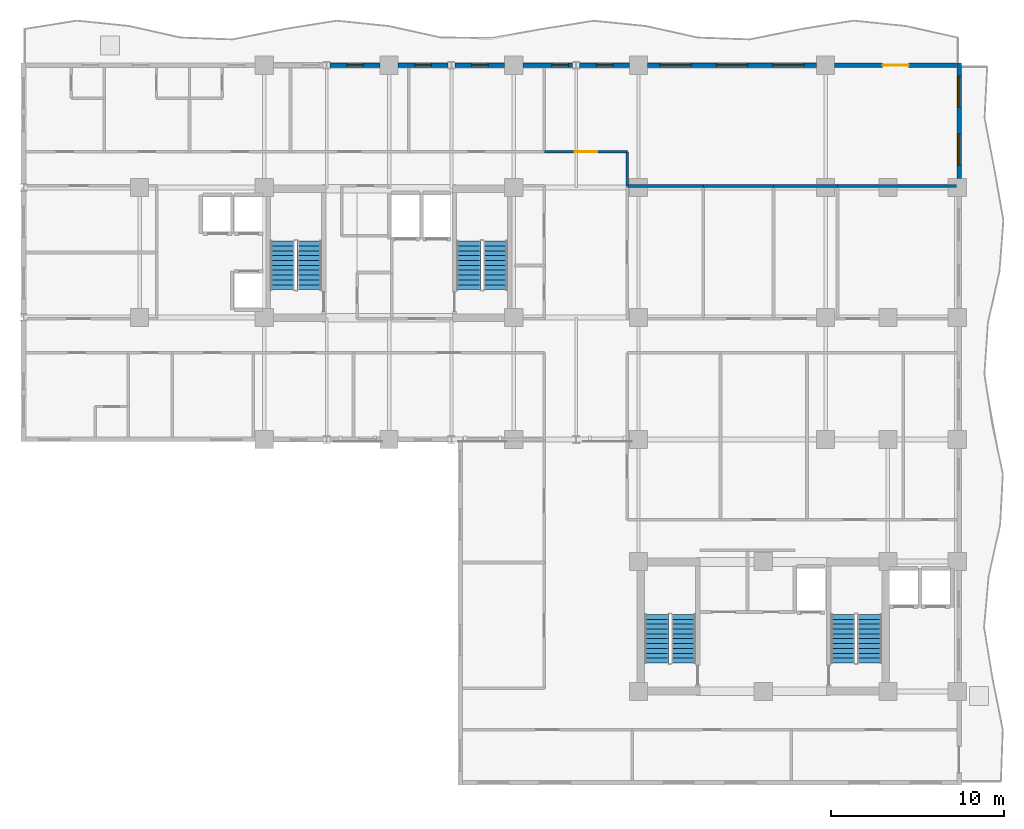
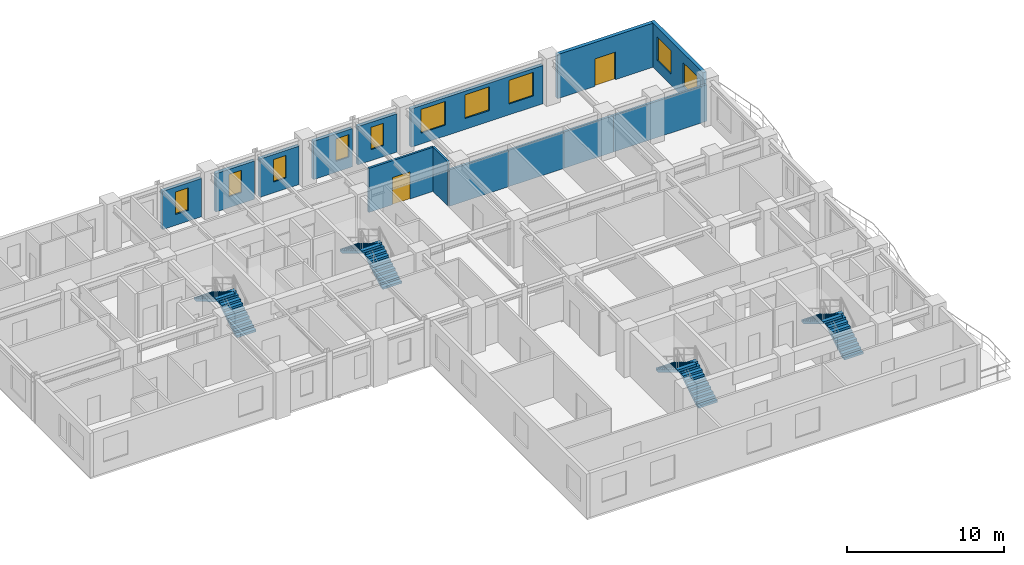
# One storey, part 9 of 13: 14 walls, 10 windows, 8 stair flights, 2 doors, 12 openings, 4 elements without a shape of their own.
"""IFC4 building model written with IfcOpenShell, lengths in metres."""

from ifc_helpers import new_model, si_unit, direction, frame, frame_2d, origin, place, context, subcontext, project, spatial, polyline, rectangle, outline, extrude, material, layer, layer_set, type_object, element, fill, aggregate, save


model = new_model("IFC4")

# Units and contexts
model_context = context("Model", 3, precision=1e-05, world=origin(), true_north=direction((0.0, 1.0)))
body_context = subcontext(model_context, "Body", "Model", "MODEL_VIEW")
ifc_project = project(units=[si_unit("LENGTHUNIT", "METRE"), si_unit("AREAUNIT", "SQUARE_METRE"), si_unit("VOLUMEUNIT", "CUBIC_METRE"), si_unit("PLANEANGLEUNIT", "RADIAN"), si_unit("MASSUNIT", "GRAM", prefix="KILO")], contexts=[model_context])

# Site, building, storey
site_placement = place(None, origin())
site = spatial("IfcSite", under=ifc_project, at=site_placement, CompositionType="ELEMENT")
building_placement = place(site_placement, origin())
building = spatial("IfcBuilding", under=site, at=building_placement, Name="Kaliganga Portal Commons", CompositionType="ELEMENT")
storey_placement = place(building_placement, frame((0.0, 0.0, 158.699951171875)))
storey = spatial("IfcBuildingStorey", under=building, at=storey_placement, Name="L40", CompositionType="ELEMENT", Elevation=158.699951171875)

# Wall, openings, windows
ifc_material_1 = material(Name="Insulated Aluminium-Clad Spandrel Assembly", Category="aluminium")
ifc_layer_1 = layer(ifc_material_1, 0.260009765625)
ifc_layer_set_1 = layer_set([ifc_layer_1], Name="Insulated Aluminium-Clad Spandrel Assembly")
wall_type_1 = type_object("IfcWallType", Name="WL-EXT-SPAND-260", PredefinedType="STANDARD", material=ifc_layer_set_1)
wall_1_placement = place(storey_placement, frame((54.5, 43.330078125, 0.0), z_axis=(0.0, 0.0, 1.0), x_axis=(0.0, -1.0, 0.0)))
wall_1 = element("IfcWall", 1, at=wall_1_placement, inside=storey, type_object=wall_type_1, Name="Exterior Envelope Wall L40 P1-E01-S6", PredefinedType="STANDARD", context=body_context, shape_type="SweptSolid", body=[
    extrude(rectangle(XDim=6.654052734375, YDim=0.260009765625, at=frame_2d((3.3271484375, 0.0))), origin(), (0.0, 0.0, 1.0), 3.43994140625),
])
opening_1_placement = place(wall_1_placement, frame((0.763427734375, 0.0, 0.85009765625)))
opening_1 = element("IfcOpeningElement", 2, at=opening_1_placement, cuts=wall_1, Name="Opening W-01", PredefinedType="OPENING", context=body_context, shape_type="SweptSolid", body=[
    extrude(rectangle(XDim=1.800048828125, YDim=1.85009765625, at=frame_2d((0.89990234375, 0.925048828125))), frame((0.0, 0.14013671875, 0.0), z_axis=(0.0, -1.0, 0.0), x_axis=(1.0, 0.0, 0.0)), (0.0, 0.0, 1.0), 0.280029296875),
])
opening_2_placement = place(wall_1_placement, frame((4.090576171875, 0.0, 0.85009765625)))
opening_2 = element("IfcOpeningElement", 3, at=opening_2_placement, cuts=wall_1, Name="Opening W-01", PredefinedType="OPENING", context=body_context, shape_type="SweptSolid", body=[
    extrude(rectangle(XDim=1.800048828125, YDim=1.85009765625, at=frame_2d((0.89990234375, 0.925048828125))), frame((0.0, 0.14013671875, 0.0), z_axis=(0.0, -1.0, 0.0), x_axis=(1.0, 0.0, 0.0)), (0.0, 0.0, 1.0), 0.280029296875),
])
ifc_material_2 = material(Name="Thermally Broken Aluminium and Low-E Double Glazing", Category="aluminium")
window_type_1 = type_object("IfcWindowType", Name="WIN-STD-1800", PartitioningType="DOUBLE_PANEL_VERTICAL", PredefinedType="WINDOW", material=ifc_material_2)
window_1_placement = place(opening_1_placement, origin())
window_1 = element("IfcWindow", 4, at=window_1_placement, inside=storey, type_object=window_type_1, Name="Facade Window L40-P1E01S6-00", OverallHeight=1.85009765625, OverallWidth=1.800048828125, PartitioningType="SINGLE_PANEL", PredefinedType="WINDOW", context=body_context, shape_type="SweptSolid", body=[
    extrude(rectangle(XDim=1.800048828125, YDim=1.85009765625, at=frame_2d((0.89990234375, 0.925048828125))), frame((0.0, 0.030029296875, 0.0), z_axis=(0.0, -1.0, 0.0), x_axis=(1.0, 0.0, 0.0)), (0.0, 0.0, 1.0), 0.06005859375),
])
fill(opening_1, window_1)
window_2_placement = place(opening_2_placement, origin())
window_2 = element("IfcWindow", 5, at=window_2_placement, inside=storey, type_object=window_type_1, Name="Facade Window L40-P1E01S6-01", OverallHeight=1.85009765625, OverallWidth=1.800048828125, PartitioningType="SINGLE_PANEL", PredefinedType="WINDOW", context=body_context, shape_type="SweptSolid", body=[
    extrude(rectangle(XDim=1.800048828125, YDim=1.85009765625, at=frame_2d((0.89990234375, 0.925048828125))), frame((0.0, 0.030029296875, 0.0), z_axis=(0.0, -1.0, 0.0), x_axis=(1.0, 0.0, 0.0)), (0.0, 0.0, 1.0), 0.06005859375),
])
fill(opening_2, window_2)

# Wall, opening, door
wall_2_placement = place(storey_placement, frame((47.325927734375, 43.199951171875, 0.0), z_axis=(0.0, 0.0, 1.0), x_axis=(1.0, 0.0, 0.0)))
wall_2 = element("IfcWall", 6, at=wall_2_placement, inside=storey, type_object=wall_type_1, Name="Exterior Envelope Wall L40 P1-E02-S1", PredefinedType="STANDARD", context=body_context, shape_type="SweptSolid", body=[
    extrude(rectangle(XDim=7.0390625, YDim=0.260009765625, at=frame_2d((3.51953125, 0.0))), origin(), (0.0, 0.0, 1.0), 3.43994140625),
])
opening_3_placement = place(wall_2_placement, frame((2.77001953125, 0.0, 0.0)))
opening_3 = element("IfcOpeningElement", 7, at=opening_3_placement, cuts=wall_2, Name="Opening BD-01", PredefinedType="OPENING", context=body_context, shape_type="SweptSolid", body=[
    extrude(rectangle(XDim=1.5, YDim=2.14990234375, at=frame_2d((0.75, 1.074951171875))), frame((0.0, 0.14013671875, 0.0), z_axis=(0.0, -1.0, 0.0), x_axis=(1.0, 0.0, 0.0)), (0.0, 0.0, 1.0), 0.280029296875),
])
ifc_material_3 = material(Name="Anodized Aluminium and Laminated Safety Glass", Category="aluminium")
door_type_1 = type_object("IfcDoorType", Name="DR-BALC-1500", OperationType="SLIDING_TO_LEFT", PredefinedType="DOOR", material=ifc_material_3)
door_1_placement = place(opening_3_placement, origin())
door_1 = element("IfcDoor", 8, at=door_1_placement, inside=storey, type_object=door_type_1, Name="Balcony Sliding Door L40 balc_north", OperationType="SLIDING_TO_LEFT", OverallHeight=2.14990234375, OverallWidth=1.5, PredefinedType="DOOR", context=body_context, shape_type="SweptSolid", body=[
    extrude(rectangle(XDim=1.5, YDim=2.14990234375, at=frame_2d((0.75, 1.074951171875))), frame((0.0, 0.02490234375, 0.0), z_axis=(0.0, -1.0, 0.0), x_axis=(1.0, 0.0, 0.0)), (0.0, 0.0, 1.0), 0.050048828125),
])
fill(opening_3, door_1)

# Wall, openings, windows
wall_3_placement = place(storey_placement, frame((36.52587890625, 43.199951171875, 0.0), z_axis=(0.0, 0.0, 1.0), x_axis=(1.0, 0.0, 0.0)))
wall_3 = element("IfcWall", 9, at=wall_3_placement, inside=storey, type_object=wall_type_1, Name="Exterior Envelope Wall L40 P1-E02-S2", PredefinedType="STANDARD", context=body_context, shape_type="SweptSolid", body=[
    extrude(rectangle(XDim=9.748046875, YDim=0.260009765625, at=frame_2d((4.8740234375, 0.0))), origin(), (0.0, 0.0, 1.0), 2.989990234375),
])
opening_4_placement = place(wall_3_placement, frame((0.724609375, 0.0, 0.85009765625)))
opening_4 = element("IfcOpeningElement", 10, at=opening_4_placement, cuts=wall_3, Name="Opening W-01", PredefinedType="OPENING", context=body_context, shape_type="SweptSolid", body=[
    extrude(rectangle(XDim=1.800048828125, YDim=1.85009765625, at=frame_2d((0.89990234375, 0.925048828125))), frame((0.0, 0.14013671875, 0.0), z_axis=(0.0, -1.0, 0.0), x_axis=(1.0, 0.0, 0.0)), (0.0, 0.0, 1.0), 0.280029296875),
])
opening_5_placement = place(wall_3_placement, frame((3.97412109375, 0.0, 0.85009765625)))
opening_5 = element("IfcOpeningElement", 11, at=opening_5_placement, cuts=wall_3, Name="Opening W-01", PredefinedType="OPENING", context=body_context, shape_type="SweptSolid", body=[
    extrude(rectangle(XDim=1.800048828125, YDim=1.85009765625, at=frame_2d((0.89990234375, 0.925048828125))), frame((0.0, 0.14013671875, 0.0), z_axis=(0.0, -1.0, 0.0), x_axis=(1.0, 0.0, 0.0)), (0.0, 0.0, 1.0), 0.280029296875),
])
opening_6_placement = place(wall_3_placement, frame((7.223388671875, 0.0, 0.85009765625)))
opening_6 = element("IfcOpeningElement", 12, at=opening_6_placement, cuts=wall_3, Name="Opening W-01", PredefinedType="OPENING", context=body_context, shape_type="SweptSolid", body=[
    extrude(rectangle(XDim=1.800048828125, YDim=1.85009765625, at=frame_2d((0.89990234375, 0.925048828125))), frame((0.0, 0.14013671875, 0.0), z_axis=(0.0, -1.0, 0.0), x_axis=(1.0, 0.0, 0.0)), (0.0, 0.0, 1.0), 0.280029296875),
])
window_3_placement = place(opening_4_placement, origin())
window_3 = element("IfcWindow", 13, at=window_3_placement, inside=storey, type_object=window_type_1, Name="Facade Window L40-P1E02S2-00", OverallHeight=1.85009765625, OverallWidth=1.800048828125, PartitioningType="SINGLE_PANEL", PredefinedType="WINDOW", context=body_context, shape_type="SweptSolid", body=[
    extrude(rectangle(XDim=1.800048828125, YDim=1.85009765625, at=frame_2d((0.89990234375, 0.925048828125))), frame((0.0, 0.030029296875, 0.0), z_axis=(0.0, -1.0, 0.0), x_axis=(1.0, 0.0, 0.0)), (0.0, 0.0, 1.0), 0.06005859375),
])
fill(opening_4, window_3)
window_4_placement = place(opening_5_placement, origin())
window_4 = element("IfcWindow", 14, at=window_4_placement, inside=storey, type_object=window_type_1, Name="Facade Window L40-P1E02S2-01", OverallHeight=1.85009765625, OverallWidth=1.800048828125, PartitioningType="SINGLE_PANEL", PredefinedType="WINDOW", context=body_context, shape_type="SweptSolid", body=[
    extrude(rectangle(XDim=1.800048828125, YDim=1.85009765625, at=frame_2d((0.89990234375, 0.925048828125))), frame((0.0, 0.030029296875, 0.0), z_axis=(0.0, -1.0, 0.0), x_axis=(1.0, 0.0, 0.0)), (0.0, 0.0, 1.0), 0.06005859375),
])
fill(opening_5, window_4)
window_5_placement = place(opening_6_placement, origin())
window_5 = element("IfcWindow", 15, at=window_5_placement, inside=storey, type_object=window_type_1, Name="Facade Window L40-P1E02S2-02", OverallHeight=1.85009765625, OverallWidth=1.800048828125, PartitioningType="SINGLE_PANEL", PredefinedType="WINDOW", context=body_context, shape_type="SweptSolid", body=[
    extrude(rectangle(XDim=1.800048828125, YDim=1.85009765625, at=frame_2d((0.89990234375, 0.925048828125))), frame((0.0, 0.030029296875, 0.0), z_axis=(0.0, -1.0, 0.0), x_axis=(1.0, 0.0, 0.0)), (0.0, 0.0, 1.0), 0.06005859375),
])
fill(opening_6, window_5)

# Wall, opening, window
wall_4_placement = place(storey_placement, frame((32.60302734375, 43.199951171875, 0.0), z_axis=(0.0, 0.0, 1.0), x_axis=(1.0, 0.0, 0.0)))
wall_4 = element("IfcWall", 16, at=wall_4_placement, inside=storey, type_object=wall_type_1, Name="Exterior Envelope Wall L40 P1-E02-S3", PredefinedType="STANDARD", context=body_context, shape_type="SweptSolid", body=[
    extrude(rectangle(XDim=2.87109375, YDim=0.260009765625, at=frame_2d((1.435546875, 0.0))), origin(), (0.0, 0.0, 1.0), 2.989990234375),
])
opening_7_placement = place(wall_4_placement, frame((0.96044921875, 0.0, 0.85009765625)))
opening_7 = element("IfcOpeningElement", 17, at=opening_7_placement, cuts=wall_4, Name="Opening W-04", PredefinedType="OPENING", context=body_context, shape_type="SweptSolid", body=[
    extrude(rectangle(XDim=0.949951171875, YDim=1.75, at=frame_2d((0.47509765625, 0.875))), frame((0.0, 0.14013671875, 0.0), z_axis=(0.0, -1.0, 0.0), x_axis=(1.0, 0.0, 0.0)), (0.0, 0.0, 1.0), 0.280029296875),
])
window_type_2 = type_object("IfcWindowType", Name="WIN-NARROW-950", PartitioningType="SINGLE_PANEL", PredefinedType="WINDOW", material=ifc_material_2)
window_6_placement = place(opening_7_placement, origin())
window_6 = element("IfcWindow", 18, at=window_6_placement, inside=storey, type_object=window_type_2, Name="Facade Window L40-P1E02S3-00", OverallHeight=1.75, OverallWidth=0.949951171875, PartitioningType="SINGLE_PANEL", PredefinedType="WINDOW", context=body_context, shape_type="SweptSolid", body=[
    extrude(rectangle(XDim=0.949951171875, YDim=1.75, at=frame_2d((0.47509765625, 0.875))), frame((0.0, 0.030029296875, 0.0), z_axis=(0.0, -1.0, 0.0), x_axis=(1.0, 0.0, 0.0)), (0.0, 0.0, 1.0), 0.06005859375),
])
fill(opening_7, window_6)

wall_5_placement = place(storey_placement, frame((29.325927734375, 43.199951171875, 0.0), z_axis=(0.0, 0.0, 1.0), x_axis=(1.0, 0.0, 0.0)))
wall_5 = element("IfcWall", 19, at=wall_5_placement, inside=storey, type_object=wall_type_1, Name="Exterior Envelope Wall L40 P1-E02-S4", PredefinedType="STANDARD", context=body_context, shape_type="SweptSolid", body=[
    extrude(rectangle(XDim=2.87109375, YDim=0.260009765625, at=frame_2d((1.435546875, 0.0))), origin(), (0.0, 0.0, 1.0), 2.989990234375),
])
opening_8_placement = place(wall_5_placement, frame((1.672607421875, 0.0, 0.85009765625)))
opening_8 = element("IfcOpeningElement", 20, at=opening_8_placement, cuts=wall_5, Name="Opening W-04", PredefinedType="OPENING", context=body_context, shape_type="SweptSolid", body=[
    extrude(rectangle(XDim=0.949951171875, YDim=1.75, at=frame_2d((0.47509765625, 0.875))), frame((0.0, 0.14013671875, 0.0), z_axis=(0.0, -1.0, 0.0), x_axis=(1.0, 0.0, 0.0)), (0.0, 0.0, 1.0), 0.280029296875),
])
window_7_placement = place(opening_8_placement, origin())
window_7 = element("IfcWindow", 21, at=window_7_placement, inside=storey, type_object=window_type_2, Name="Facade Window L40-P1E02S4-N2", OverallHeight=1.75, OverallWidth=0.949951171875, PartitioningType="SINGLE_PANEL", PredefinedType="WINDOW", context=body_context, shape_type="SweptSolid", body=[
    extrude(rectangle(XDim=0.949951171875, YDim=1.75, at=frame_2d((0.47509765625, 0.875))), frame((0.0, 0.030029296875, 0.0), z_axis=(0.0, -1.0, 0.0), x_axis=(1.0, 0.0, 0.0)), (0.0, 0.0, 1.0), 0.06005859375),
])
fill(opening_8, window_7)

wall_6_placement = place(storey_placement, frame((25.403076171875, 43.199951171875, 0.0), z_axis=(0.0, 0.0, 1.0), x_axis=(1.0, 0.0, 0.0)))
wall_6 = element("IfcWall", 22, at=wall_6_placement, inside=storey, type_object=wall_type_1, Name="Exterior Envelope Wall L40 P1-E02-S5", PredefinedType="STANDARD", context=body_context, shape_type="SweptSolid", body=[
    extrude(rectangle(XDim=2.870849609375, YDim=0.260009765625, at=frame_2d((1.435546875, 0.0))), origin(), (0.0, 0.0, 1.0), 2.989990234375),
])
opening_9_placement = place(wall_6_placement, frame((0.96044921875, 0.0, 0.85009765625)))
opening_9 = element("IfcOpeningElement", 23, at=opening_9_placement, cuts=wall_6, Name="Opening W-04", PredefinedType="OPENING", context=body_context, shape_type="SweptSolid", body=[
    extrude(rectangle(XDim=0.949951171875, YDim=1.75, at=frame_2d((0.47509765625, 0.875))), frame((0.0, 0.14013671875, 0.0), z_axis=(0.0, -1.0, 0.0), x_axis=(1.0, 0.0, 0.0)), (0.0, 0.0, 1.0), 0.280029296875),
])
window_8_placement = place(opening_9_placement, origin())
window_8 = element("IfcWindow", 24, at=window_8_placement, inside=storey, type_object=window_type_2, Name="Facade Window L40-P1E02S5-00", OverallHeight=1.75, OverallWidth=0.949951171875, PartitioningType="SINGLE_PANEL", PredefinedType="WINDOW", context=body_context, shape_type="SweptSolid", body=[
    extrude(rectangle(XDim=0.949951171875, YDim=1.75, at=frame_2d((0.47509765625, 0.875))), frame((0.0, 0.030029296875, 0.0), z_axis=(0.0, -1.0, 0.0), x_axis=(1.0, 0.0, 0.0)), (0.0, 0.0, 1.0), 0.06005859375),
])
fill(opening_9, window_8)

wall_7_placement = place(storey_placement, frame((22.1259765625, 43.199951171875, 0.0), z_axis=(0.0, 0.0, 1.0), x_axis=(1.0, 0.0, 0.0)))
wall_7 = element("IfcWall", 25, at=wall_7_placement, inside=storey, type_object=wall_type_1, Name="Exterior Envelope Wall L40 P1-E02-S6", PredefinedType="STANDARD", context=body_context, shape_type="SweptSolid", body=[
    extrude(rectangle(XDim=2.87109375, YDim=0.260009765625, at=frame_2d((1.435546875, 0.0))), origin(), (0.0, 0.0, 1.0), 2.989990234375),
])
opening_10_placement = place(wall_7_placement, frame((0.96044921875, 0.0, 0.85009765625)))
opening_10 = element("IfcOpeningElement", 26, at=opening_10_placement, cuts=wall_7, Name="Opening W-04", PredefinedType="OPENING", context=body_context, shape_type="SweptSolid", body=[
    extrude(rectangle(XDim=0.949951171875, YDim=1.75, at=frame_2d((0.47509765625, 0.875))), frame((0.0, 0.14013671875, 0.0), z_axis=(0.0, -1.0, 0.0), x_axis=(1.0, 0.0, 0.0)), (0.0, 0.0, 1.0), 0.280029296875),
])
window_9_placement = place(opening_10_placement, origin())
window_9 = element("IfcWindow", 27, at=window_9_placement, inside=storey, type_object=window_type_2, Name="Facade Window L40-P1E02S6-00", OverallHeight=1.75, OverallWidth=0.949951171875, PartitioningType="SINGLE_PANEL", PredefinedType="WINDOW", context=body_context, shape_type="SweptSolid", body=[
    extrude(rectangle(XDim=0.949951171875, YDim=1.75, at=frame_2d((0.47509765625, 0.875))), frame((0.0, 0.030029296875, 0.0), z_axis=(0.0, -1.0, 0.0), x_axis=(1.0, 0.0, 0.0)), (0.0, 0.0, 1.0), 0.06005859375),
])
fill(opening_10, window_9)

wall_8_placement = place(storey_placement, frame((18.202880859375, 43.199951171875, 0.0), z_axis=(0.0, 0.0, 1.0), x_axis=(1.0, 0.0, 0.0)))
wall_8 = element("IfcWall", 28, at=wall_8_placement, inside=storey, type_object=wall_type_1, Name="Exterior Envelope Wall L40 P1-E02-S7", PredefinedType="STANDARD", context=body_context, shape_type="SweptSolid", body=[
    extrude(rectangle(XDim=2.87109375, YDim=0.260009765625, at=frame_2d((1.435546875, 0.0))), origin(), (0.0, 0.0, 1.0), 2.989990234375),
])
opening_11_placement = place(wall_8_placement, frame((0.96044921875, 0.0, 0.85009765625)))
opening_11 = element("IfcOpeningElement", 29, at=opening_11_placement, cuts=wall_8, Name="Opening W-04", PredefinedType="OPENING", context=body_context, shape_type="SweptSolid", body=[
    extrude(rectangle(XDim=0.949951171875, YDim=1.75, at=frame_2d((0.47509765625, 0.875))), frame((0.0, 0.14013671875, 0.0), z_axis=(0.0, -1.0, 0.0), x_axis=(1.0, 0.0, 0.0)), (0.0, 0.0, 1.0), 0.280029296875),
])
window_10_placement = place(opening_11_placement, origin())
window_10 = element("IfcWindow", 30, at=window_10_placement, inside=storey, type_object=window_type_2, Name="Facade Window L40-P1E02S7-00", OverallHeight=1.75, OverallWidth=0.949951171875, PartitioningType="SINGLE_PANEL", PredefinedType="WINDOW", context=body_context, shape_type="SweptSolid", body=[
    extrude(rectangle(XDim=0.949951171875, YDim=1.75, at=frame_2d((0.47509765625, 0.875))), frame((0.0, 0.030029296875, 0.0), z_axis=(0.0, -1.0, 0.0), x_axis=(1.0, 0.0, 0.0)), (0.0, 0.0, 1.0), 0.06005859375),
])
fill(opening_11, window_10)

# Wall, opening, door
ifc_material_4 = material(Name="Fire-Rated Gypsum Board on Steel Stud", Category="steel")
ifc_layer_2 = layer(ifc_material_4, 0.14990234375)
ifc_layer_set_2 = layer_set([ifc_layer_2], Name="Fire-Rated Gypsum Board on Steel Stud")
wall_type_2 = type_object("IfcWallType", Name="WL-PART-CORR-150", PredefinedType="PARTITIONING", material=ifc_layer_set_2)
wall_9_placement = place(storey_placement, frame((30.56005859375, 38.199951171875, 0.0), z_axis=(0.0, 0.0, 1.0), x_axis=(1.0, 0.0, 0.0)))
wall_9 = element("IfcWall", 31, at=wall_9_placement, inside=storey, type_object=wall_type_2, Name="Interior Partition L40-040", PredefinedType="PARTITIONING", context=body_context, shape_type="SweptSolid", body=[
    extrude(rectangle(XDim=4.800048828125, YDim=0.14990234375, at=frame_2d((2.39990234375, 0.0))), origin(), (0.0, 0.0, 1.0), 3.43994140625),
])
opening_12_placement = place(wall_9_placement, frame((1.75, 0.0, 0.0)))
opening_12 = element("IfcOpeningElement", 32, at=opening_12_placement, cuts=wall_9, Name="Opening RD-03", PredefinedType="OPENING", context=body_context, shape_type="SweptSolid", body=[
    extrude(rectangle(XDim=1.300048828125, YDim=2.1201171875, at=frame_2d((0.64990234375, 1.06005859375))), frame((0.0, 0.0849609375, 0.0), z_axis=(0.0, -1.0, 0.0), x_axis=(1.0, 0.0, 0.0)), (0.0, 0.0, 1.0), 0.169921875),
])
ifc_material_5 = material(Name="Glazed Timber Seminar Vision Door", Category="wood")
door_type_2 = type_object("IfcDoorType", Name="DR-STUDY-1300", OperationType="DOUBLE_DOOR_SINGLE_SWING", PredefinedType="DOOR", material=ifc_material_5)
door_2_placement = place(opening_12_placement, origin())
door_2 = element("IfcDoor", 33, at=door_2_placement, inside=storey, type_object=door_type_2, Name="Interior Door L40-ANE01", OperationType="DOUBLE_DOOR_SINGLE_SWING", OverallHeight=2.1201171875, OverallWidth=1.300048828125, PredefinedType="DOOR", context=body_context, shape_type="SweptSolid", body=[
    extrude(rectangle(XDim=1.300048828125, YDim=2.1201171875, at=frame_2d((0.64990234375, 1.06005859375))), frame((0.0, 0.02490234375, 0.0), z_axis=(0.0, -1.0, 0.0), x_axis=(1.0, 0.0, 0.0)), (0.0, 0.0, 1.0), 0.050048828125),
])
fill(opening_12, door_2)

# Walls
wall_10_placement = place(storey_placement, frame((35.360107421875, 36.239990234375, 0.0), z_axis=(0.0, 0.0, 1.0), x_axis=(0.0, 1.0, 0.0)))
element("IfcWall", 34, at=wall_10_placement, inside=storey, type_object=wall_type_2, Name="Interior Partition L40-063", PredefinedType="PARTITIONING", context=body_context, shape_type="SweptSolid", body=[
    extrude(rectangle(XDim=1.9599609375, YDim=0.14990234375, at=frame_2d((0.97998046875, 0.0))), origin(), (0.0, 0.0, 1.0), 3.43994140625),
])
ifc_material_6 = material(Name="Twin-Stud Acoustic Gypsum Partition", Category="gypsum")
ifc_layer_3 = layer(ifc_material_6, 0.1650390625)
ifc_layer_set_3 = layer_set([ifc_layer_3], Name="Twin-Stud Acoustic Gypsum Partition")
wall_type_3 = type_object("IfcWallType", Name="WL-PART-UNIT-165", PredefinedType="PARTITIONING", material=ifc_layer_set_3)
wall_11_placement = place(storey_placement, frame((47.47998046875, 36.239990234375, 0.0), z_axis=(0.0, 0.0, 1.0), x_axis=(1.0, 0.0, 0.0)))
element("IfcWall", 35, at=wall_11_placement, inside=storey, type_object=wall_type_3, Name="Interior Partition L40-075", PredefinedType="PARTITIONING", context=body_context, shape_type="SweptSolid", body=[
    extrude(rectangle(XDim=6.887939453125, YDim=0.1650390625, at=frame_2d((3.44384765625, 0.0))), origin(), (0.0, 0.0, 1.0), 2.840087890625),
])
wall_12_placement = place(storey_placement, frame((35.360107421875, 36.239990234375, 0.0), z_axis=(0.0, 0.0, 1.0), x_axis=(1.0, 0.0, 0.0)))
element("IfcWall", 36, at=wall_12_placement, inside=storey, type_object=wall_type_3, Name="Interior Partition L40-084", PredefinedType="PARTITIONING", context=body_context, shape_type="SweptSolid", body=[
    extrude(rectangle(XDim=4.3798828125, YDim=0.1650390625, at=frame_2d((2.18994140625, 0.0))), origin(), (0.0, 0.0, 1.0), 2.840087890625),
])
wall_13_placement = place(storey_placement, frame((39.739990234375, 36.239990234375, 0.0), z_axis=(0.0, 0.0, 1.0), x_axis=(1.0, 0.0, 0.0)))
element("IfcWall", 37, at=wall_13_placement, inside=storey, type_object=wall_type_3, Name="Interior Partition L40-085", PredefinedType="PARTITIONING", context=body_context, shape_type="SweptSolid", body=[
    extrude(rectangle(XDim=4.06005859375, YDim=0.1650390625, at=frame_2d((2.030029296875, 0.0))), origin(), (0.0, 0.0, 1.0), 2.840087890625),
])
wall_14_placement = place(storey_placement, frame((43.800048828125, 36.239990234375, 0.0), z_axis=(0.0, 0.0, 1.0), x_axis=(1.0, 0.0, 0.0)))
element("IfcWall", 38, at=wall_14_placement, inside=storey, type_object=wall_type_3, Name="Interior Partition L40-086", PredefinedType="PARTITIONING", context=body_context, shape_type="SweptSolid", body=[
    extrude(rectangle(XDim=3.679931640625, YDim=0.1650390625, at=frame_2d((1.83984375, 0.0))), origin(), (0.0, 0.0, 1.0), 2.840087890625),
])

# Stair, stair flights
ifc_material_7 = material(Name="Concrete C40/50", Category="concrete")
stair_type = type_object("IfcStairType", Name="ST-CORE-DOGLEG", PredefinedType="HALF_TURN_STAIR", material=ifc_material_7)
stair_1_placement = place(storey_placement, origin())
stair_1 = element("IfcStair", 39, at=stair_1_placement, inside=storey, type_object=stair_type, Name="L40 Protected Exit Stair ST-A1", PredefinedType="HALF_TURN_STAIR")
stair_flight_type = type_object("IfcStairFlightType", Name="STF-RC-1400", PredefinedType="STRAIGHT", material=ifc_material_7)
stair_flight_1_placement = place(storey_placement, frame((17.0, 30.25, 0.0), z_axis=(0.0, 0.0, 1.0), x_axis=(0.0, 1.0, 0.0)))
stair_flight_1 = element("IfcStairFlight", 40, at=stair_flight_1_placement, type_object=stair_flight_type, Name="ST-A1 flight 1", NumberOfRisers=11, NumberOfTreads=10, PredefinedType="STRAIGHT", RiserHeight=0.168181818, TreadLength=0.28, context=body_context, shape_type="SweptSolid", body=[
    extrude(outline(polyline([(0.0, 0.0), (0.0, 0.168212890625), (0.280029296875, 0.168212890625), (0.280029296875, 0.33642578125), (0.56005859375, 0.33642578125), (0.56005859375, 0.504638671875), (0.840087890625, 0.504638671875), (0.840087890625, 0.672607421875), (1.1201171875, 0.672607421875), (1.1201171875, 0.8408203125), (1.39990234375, 0.8408203125), (1.39990234375, 1.009033203125), (1.679931640625, 1.009033203125), (1.679931640625, 1.17724609375), (1.9599609375, 1.17724609375), (1.9599609375, 1.345458984375), (2.239990234375, 1.345458984375), (2.239990234375, 1.513671875), (2.52001953125, 1.513671875), (2.52001953125, 1.681884765625), (2.800048828125, 1.681884765625), (2.800048828125, 1.85009765625), (2.800048828125, 1.5068359375), (0.291015625, 0.0), (0.0, 0.0)])), frame((0.0, 0.699951171875, 0.0), z_axis=(0.0, -1.0, 0.0), x_axis=(1.0, 0.0, 0.0)), (0.0, 0.0, 1.0), 1.39990234375),
])
stair_flight_2_placement = place(storey_placement, frame((15.449951171875, 33.050048828125, 1.85009765625), z_axis=(0.0, 0.0, 1.0), x_axis=(0.0, -1.0, 0.0)))
stair_flight_2 = element("IfcStairFlight", 41, at=stair_flight_2_placement, type_object=stair_flight_type, Name="ST-A1 flight 2", NumberOfRisers=11, NumberOfTreads=10, PredefinedType="STRAIGHT", RiserHeight=0.168181818, TreadLength=0.28, context=body_context, shape_type="SweptSolid", body=[
    extrude(outline(polyline([(0.0, 0.0), (0.0, 0.168212890625), (0.280029296875, 0.168212890625), (0.280029296875, 0.33642578125), (0.56005859375, 0.33642578125), (0.56005859375, 0.504638671875), (0.840087890625, 0.504638671875), (0.840087890625, 0.672607421875), (1.1201171875, 0.672607421875), (1.1201171875, 0.8408203125), (1.39990234375, 0.8408203125), (1.39990234375, 1.009033203125), (1.679931640625, 1.009033203125), (1.679931640625, 1.17724609375), (1.9599609375, 1.17724609375), (1.9599609375, 1.345458984375), (2.239990234375, 1.345458984375), (2.239990234375, 1.513671875), (2.52001953125, 1.513671875), (2.52001953125, 1.681884765625), (2.800048828125, 1.681884765625), (2.800048828125, 1.85009765625), (2.800048828125, 1.5068359375), (0.291015625, 0.0), (0.0, 0.0)])), frame((0.0, 0.699951171875, 0.0), z_axis=(0.0, -1.0, 0.0), x_axis=(1.0, 0.0, 0.0)), (0.0, 0.0, 1.0), 1.39990234375),
])
aggregate(stair_1, [stair_flight_1, stair_flight_2])

stair_2_placement = place(storey_placement, origin())
stair_2 = element("IfcStair", 42, at=stair_2_placement, inside=storey, type_object=stair_type, Name="L40 Protected Exit Stair ST-A2", PredefinedType="HALF_TURN_STAIR")
stair_flight_3_placement = place(storey_placement, frame((27.75, 30.25, 0.0), z_axis=(0.0, 0.0, 1.0), x_axis=(0.0, 1.0, 0.0)))
stair_flight_3 = element("IfcStairFlight", 43, at=stair_flight_3_placement, type_object=stair_flight_type, Name="ST-A2 flight 1", NumberOfRisers=11, NumberOfTreads=10, PredefinedType="STRAIGHT", RiserHeight=0.168181818, TreadLength=0.28, context=body_context, shape_type="SweptSolid", body=[
    extrude(outline(polyline([(0.0, 0.0), (0.0, 0.168212890625), (0.280029296875, 0.168212890625), (0.280029296875, 0.33642578125), (0.56005859375, 0.33642578125), (0.56005859375, 0.504638671875), (0.840087890625, 0.504638671875), (0.840087890625, 0.672607421875), (1.1201171875, 0.672607421875), (1.1201171875, 0.8408203125), (1.39990234375, 0.8408203125), (1.39990234375, 1.009033203125), (1.679931640625, 1.009033203125), (1.679931640625, 1.17724609375), (1.9599609375, 1.17724609375), (1.9599609375, 1.345458984375), (2.239990234375, 1.345458984375), (2.239990234375, 1.513671875), (2.52001953125, 1.513671875), (2.52001953125, 1.681884765625), (2.800048828125, 1.681884765625), (2.800048828125, 1.85009765625), (2.800048828125, 1.5068359375), (0.291015625, 0.0), (0.0, 0.0)])), frame((0.0, 0.699951171875, 0.0), z_axis=(0.0, -1.0, 0.0), x_axis=(1.0, 0.0, 0.0)), (0.0, 0.0, 1.0), 1.39990234375),
])
stair_flight_4_placement = place(storey_placement, frame((26.199951171875, 33.050048828125, 1.85009765625), z_axis=(0.0, 0.0, 1.0), x_axis=(0.0, -1.0, 0.0)))
stair_flight_4 = element("IfcStairFlight", 44, at=stair_flight_4_placement, type_object=stair_flight_type, Name="ST-A2 flight 2", NumberOfRisers=11, NumberOfTreads=10, PredefinedType="STRAIGHT", RiserHeight=0.168181818, TreadLength=0.28, context=body_context, shape_type="SweptSolid", body=[
    extrude(outline(polyline([(0.0, 0.0), (0.0, 0.168212890625), (0.280029296875, 0.168212890625), (0.280029296875, 0.33642578125), (0.56005859375, 0.33642578125), (0.56005859375, 0.504638671875), (0.840087890625, 0.504638671875), (0.840087890625, 0.672607421875), (1.1201171875, 0.672607421875), (1.1201171875, 0.8408203125), (1.39990234375, 0.8408203125), (1.39990234375, 1.009033203125), (1.679931640625, 1.009033203125), (1.679931640625, 1.17724609375), (1.9599609375, 1.17724609375), (1.9599609375, 1.345458984375), (2.239990234375, 1.345458984375), (2.239990234375, 1.513671875), (2.52001953125, 1.513671875), (2.52001953125, 1.681884765625), (2.800048828125, 1.681884765625), (2.800048828125, 1.85009765625), (2.800048828125, 1.5068359375), (0.291015625, 0.0), (0.0, 0.0)])), frame((0.0, 0.699951171875, 0.0), z_axis=(0.0, -1.0, 0.0), x_axis=(1.0, 0.0, 0.0)), (0.0, 0.0, 1.0), 1.39990234375),
])
aggregate(stair_2, [stair_flight_3, stair_flight_4])

stair_3_placement = place(storey_placement, origin())
stair_3 = element("IfcStair", 45, at=stair_3_placement, inside=storey, type_object=stair_type, Name="L40 Protected Exit Stair ST-B1", PredefinedType="HALF_TURN_STAIR")
stair_flight_5_placement = place(storey_placement, frame((38.60009765625, 8.699951171875, 0.0), z_axis=(0.0, 0.0, 1.0), x_axis=(0.0, 1.0, 0.0)))
stair_flight_5 = element("IfcStairFlight", 46, at=stair_flight_5_placement, type_object=stair_flight_type, Name="ST-B1 flight 1", NumberOfRisers=11, NumberOfTreads=10, PredefinedType="STRAIGHT", RiserHeight=0.168181818, TreadLength=0.28, context=body_context, shape_type="SweptSolid", body=[
    extrude(outline(polyline([(0.0, 0.0), (0.0, 0.168212890625), (0.280029296875, 0.168212890625), (0.280029296875, 0.33642578125), (0.56005859375, 0.33642578125), (0.56005859375, 0.504638671875), (0.840087890625, 0.504638671875), (0.840087890625, 0.672607421875), (1.1201171875, 0.672607421875), (1.1201171875, 0.8408203125), (1.39990234375, 0.8408203125), (1.39990234375, 1.009033203125), (1.679931640625, 1.009033203125), (1.679931640625, 1.17724609375), (1.9599609375, 1.17724609375), (1.9599609375, 1.345458984375), (2.239990234375, 1.345458984375), (2.239990234375, 1.513671875), (2.52001953125, 1.513671875), (2.52001953125, 1.681884765625), (2.800048828125, 1.681884765625), (2.800048828125, 1.85009765625), (2.800048828125, 1.5068359375), (0.291015625, 0.0), (0.0, 0.0)])), frame((0.0, 0.699951171875, 0.0), z_axis=(0.0, -1.0, 0.0), x_axis=(1.0, 0.0, 0.0)), (0.0, 0.0, 1.0), 1.39990234375),
])
stair_flight_6_placement = place(storey_placement, frame((37.050048828125, 11.5, 1.85009765625), z_axis=(0.0, 0.0, 1.0), x_axis=(0.0, -1.0, 0.0)))
stair_flight_6 = element("IfcStairFlight", 47, at=stair_flight_6_placement, type_object=stair_flight_type, Name="ST-B1 flight 2", NumberOfRisers=11, NumberOfTreads=10, PredefinedType="STRAIGHT", RiserHeight=0.168181818, TreadLength=0.28, context=body_context, shape_type="SweptSolid", body=[
    extrude(outline(polyline([(0.0, 0.0), (0.0, 0.168212890625), (0.280029296875, 0.168212890625), (0.280029296875, 0.33642578125), (0.56005859375, 0.33642578125), (0.56005859375, 0.504638671875), (0.840087890625, 0.504638671875), (0.840087890625, 0.672607421875), (1.1201171875, 0.672607421875), (1.1201171875, 0.8408203125), (1.39990234375, 0.8408203125), (1.39990234375, 1.009033203125), (1.679931640625, 1.009033203125), (1.679931640625, 1.17724609375), (1.9599609375, 1.17724609375), (1.9599609375, 1.345458984375), (2.239990234375, 1.345458984375), (2.239990234375, 1.513671875), (2.52001953125, 1.513671875), (2.52001953125, 1.681884765625), (2.800048828125, 1.681884765625), (2.800048828125, 1.85009765625), (2.800048828125, 1.5068359375), (0.291015625, 0.0), (0.0, 0.0)])), frame((0.0, 0.699951171875, 0.0), z_axis=(0.0, -1.0, 0.0), x_axis=(1.0, 0.0, 0.0)), (0.0, 0.0, 1.0), 1.39990234375),
])
aggregate(stair_3, [stair_flight_5, stair_flight_6])

stair_4_placement = place(storey_placement, origin())
stair_4 = element("IfcStair", 48, at=stair_4_placement, inside=storey, type_object=stair_type, Name="L40 Protected Exit Stair ST-B2", PredefinedType="HALF_TURN_STAIR")
stair_flight_7_placement = place(storey_placement, frame((49.35009765625, 8.699951171875, 0.0), z_axis=(0.0, 0.0, 1.0), x_axis=(0.0, 1.0, 0.0)))
stair_flight_7 = element("IfcStairFlight", 49, at=stair_flight_7_placement, type_object=stair_flight_type, Name="ST-B2 flight 1", NumberOfRisers=11, NumberOfTreads=10, PredefinedType="STRAIGHT", RiserHeight=0.168181818, TreadLength=0.28, context=body_context, shape_type="SweptSolid", body=[
    extrude(outline(polyline([(0.0, 0.0), (0.0, 0.168212890625), (0.280029296875, 0.168212890625), (0.280029296875, 0.33642578125), (0.56005859375, 0.33642578125), (0.56005859375, 0.504638671875), (0.840087890625, 0.504638671875), (0.840087890625, 0.672607421875), (1.1201171875, 0.672607421875), (1.1201171875, 0.8408203125), (1.39990234375, 0.8408203125), (1.39990234375, 1.009033203125), (1.679931640625, 1.009033203125), (1.679931640625, 1.17724609375), (1.9599609375, 1.17724609375), (1.9599609375, 1.345458984375), (2.239990234375, 1.345458984375), (2.239990234375, 1.513671875), (2.52001953125, 1.513671875), (2.52001953125, 1.681884765625), (2.800048828125, 1.681884765625), (2.800048828125, 1.85009765625), (2.800048828125, 1.5068359375), (0.291015625, 0.0), (0.0, 0.0)])), frame((0.0, 0.699951171875, 0.0), z_axis=(0.0, -1.0, 0.0), x_axis=(1.0, 0.0, 0.0)), (0.0, 0.0, 1.0), 1.39990234375),
])
stair_flight_8_placement = place(storey_placement, frame((47.800048828125, 11.5, 1.85009765625), z_axis=(0.0, 0.0, 1.0), x_axis=(0.0, -1.0, 0.0)))
stair_flight_8 = element("IfcStairFlight", 50, at=stair_flight_8_placement, type_object=stair_flight_type, Name="ST-B2 flight 2", NumberOfRisers=11, NumberOfTreads=10, PredefinedType="STRAIGHT", RiserHeight=0.168181818, TreadLength=0.28, context=body_context, shape_type="SweptSolid", body=[
    extrude(outline(polyline([(0.0, 0.0), (0.0, 0.168212890625), (0.280029296875, 0.168212890625), (0.280029296875, 0.33642578125), (0.56005859375, 0.33642578125), (0.56005859375, 0.504638671875), (0.840087890625, 0.504638671875), (0.840087890625, 0.672607421875), (1.1201171875, 0.672607421875), (1.1201171875, 0.8408203125), (1.39990234375, 0.8408203125), (1.39990234375, 1.009033203125), (1.679931640625, 1.009033203125), (1.679931640625, 1.17724609375), (1.9599609375, 1.17724609375), (1.9599609375, 1.345458984375), (2.239990234375, 1.345458984375), (2.239990234375, 1.513671875), (2.52001953125, 1.513671875), (2.52001953125, 1.681884765625), (2.800048828125, 1.681884765625), (2.800048828125, 1.85009765625), (2.800048828125, 1.5068359375), (0.291015625, 0.0), (0.0, 0.0)])), frame((0.0, 0.699951171875, 0.0), z_axis=(0.0, -1.0, 0.0), x_axis=(1.0, 0.0, 0.0)), (0.0, 0.0, 1.0), 1.39990234375),
])
aggregate(stair_4, [stair_flight_7, stair_flight_8])

save(model, "model.ifc")
